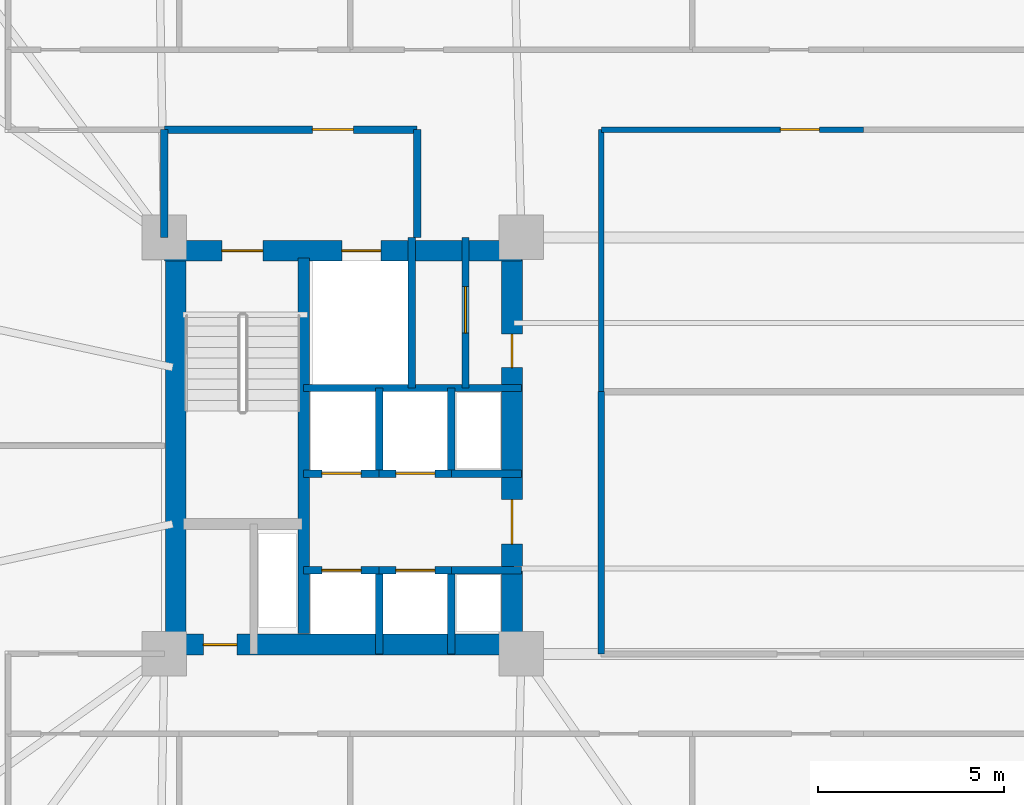
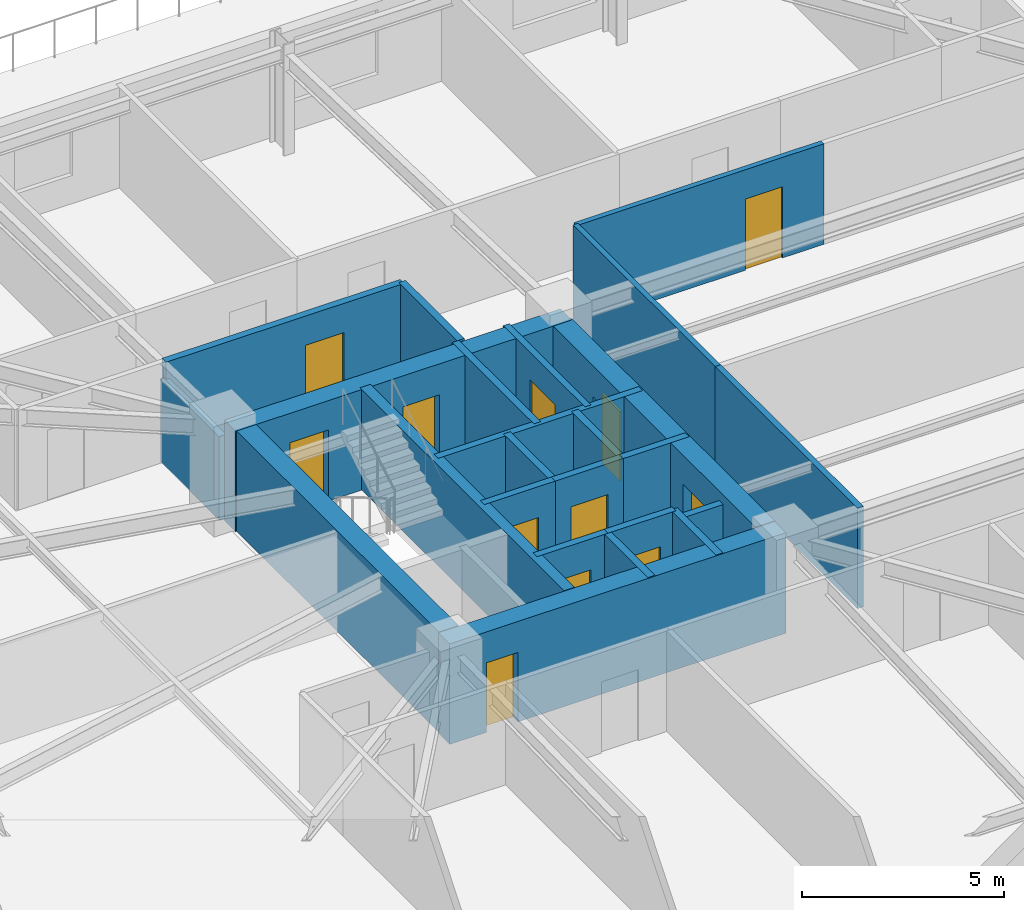
# One storey, part 12 of 21: 24 walls, 12 doors, 12 openings.
"""IFC4 building model written with IfcOpenShell, lengths in metres."""

from ifc_helpers import new_model, si_unit, direction, frame, frame_2d, origin, place, context, subcontext, project, spatial, rectangle, extrude, material, layer, layer_set, type_object, element, fill, save


model = new_model("IFC4")

# Units and contexts
model_context = context("Model", 3, precision=1e-05, world=origin(), true_north=direction((0.0, 1.0)))
body_context = subcontext(model_context, "Body", "Model", "MODEL_VIEW")
ifc_project = project(units=[si_unit("LENGTHUNIT", "METRE"), si_unit("AREAUNIT", "SQUARE_METRE"), si_unit("VOLUMEUNIT", "CUBIC_METRE"), si_unit("PLANEANGLEUNIT", "RADIAN"), si_unit("MASSUNIT", "GRAM", prefix="KILO")], contexts=[model_context])

# Site, building, storey
site_placement = place(None, origin())
site = spatial("IfcSite", under=ifc_project, at=site_placement, CompositionType="ELEMENT")
building_placement = place(site_placement, origin())
building = spatial("IfcBuilding", under=site, at=building_placement, Name="Qobustan Lattice House", CompositionType="ELEMENT")
storey_placement = place(building_placement, frame((0.0, 0.0, 27.0)))
storey = spatial("IfcBuildingStorey", under=building, at=storey_placement, Name="L06", CompositionType="ELEMENT", Elevation=27.0)

# Wall, openings, doors
ifc_material_1 = material(Name="Concrete C60/75", Category="concrete")
ifc_layer_1 = layer(ifc_material_1, 0.56005859375)
ifc_layer_set_1 = layer_set([ifc_layer_1], Name="Concrete C60/75")
wall_type_1 = type_object("IfcWallType", Name="WAL-CORE-600", PredefinedType="SHEAR", material=ifc_layer_set_1)
wall_1_placement = place(storey_placement, frame((-18.800048828125, 5.239990234375, 0.0), z_axis=(0.0, 0.0, 1.0), x_axis=(1.0, 0.0, 0.0)))
wall_1 = element("IfcWall", 1, at=wall_1_placement, inside=storey, type_object=wall_type_1, Name="L06 split-core shear wall CW-N", PredefinedType="SHEAR", context=body_context, shape_type="SweptSolid", body=[
    extrude(rectangle(XDim=9.60009765625, YDim=0.56005859375, at=frame_2d((4.800048828125, 0.0))), origin(), (0.0, 0.0, 1.0), 3.034912109375),
])
opening_1_placement = place(wall_1_placement, frame((1.550048828125, 0.0, 0.0)))
opening_1 = element("IfcOpeningElement", 2, at=opening_1_placement, cuts=wall_1, Name="Opening SD-01", PredefinedType="OPENING", context=body_context, shape_type="SweptSolid", body=[
    extrude(rectangle(XDim=1.10009765625, YDim=2.14990234375, at=frame_2d((0.550048828125, 1.074951171875))), frame((0.0, 0.2900390625, 0.0), z_axis=(0.0, -1.0, 0.0), x_axis=(1.0, 0.0, 0.0)), (0.0, 0.0, 1.0), 0.580078125),
])
opening_2_placement = place(wall_1_placement, frame((4.77490234375, 0.0, 0.0)))
opening_2 = element("IfcOpeningElement", 3, at=opening_2_placement, cuts=wall_1, Name="Opening LD-01", PredefinedType="OPENING", context=body_context, shape_type="SweptSolid", body=[
    extrude(rectangle(XDim=1.050048828125, YDim=2.10009765625, at=frame_2d((0.52490234375, 1.050048828125))), frame((0.0, 0.2900390625, 0.0), z_axis=(0.0, -1.0, 0.0), x_axis=(1.0, 0.0, 0.0)), (0.0, 0.0, 1.0), 0.580078125),
])
ifc_material_2 = material(Name="Persian walnut timber and steel frame door", Category="steel")
door_type_1 = type_object("IfcDoorType", Name="DOR-LIFT-LD-1050x2100", OperationType="NOTDEFINED", PredefinedType="DOOR", material=ifc_material_2)
door_1_placement = place(opening_2_placement, origin())
door_1 = element("IfcDoor", 4, at=door_1_placement, inside=storey, type_object=door_type_1, Name="L06 firefighting lift FF-W landing door", OperationType="DOUBLE_DOOR_SLIDING", OverallHeight=2.10009765625, OverallWidth=1.050048828125, PredefinedType="DOOR", context=body_context, shape_type="SweptSolid", body=[
    extrude(rectangle(XDim=1.050048828125, YDim=2.10009765625, at=frame_2d((0.52490234375, 1.050048828125))), frame((0.0, 0.02490234375, 0.0), z_axis=(0.0, -1.0, 0.0), x_axis=(1.0, 0.0, 0.0)), (0.0, 0.0, 1.0), 0.050048828125),
])
fill(opening_2, door_1)
ifc_material_3 = material(Name="Persian walnut timber and steel frame door", Category="steel")
door_type_2 = type_object("IfcDoorType", Name="DOR-STAIR-FD-1100x2150", OperationType="NOTDEFINED", PredefinedType="DOOR", material=ifc_material_3)
door_2_placement = place(opening_1_placement, origin())
door_2 = element("IfcDoor", 5, at=door_2_placement, inside=storey, type_object=door_type_2, Name="L06 exit stair ST-W1 fire door", OperationType="SINGLE_SWING_RIGHT", OverallHeight=2.14990234375, OverallWidth=1.10009765625, PredefinedType="DOOR", context=body_context, shape_type="SweptSolid", body=[
    extrude(rectangle(XDim=1.10009765625, YDim=2.14990234375, at=frame_2d((0.550048828125, 1.074951171875))), frame((0.0, 0.02490234375, 0.0), z_axis=(0.0, -1.0, 0.0), x_axis=(1.0, 0.0, 0.0)), (0.0, 0.0, 1.0), 0.050048828125),
])
fill(opening_1, door_2)

# Wall, opening, door
wall_2_placement = place(storey_placement, frame((-18.800048828125, -5.35009765625, 0.0), z_axis=(0.0, 0.0, 1.0), x_axis=(1.0, 0.0, 0.0)))
wall_2 = element("IfcWall", 6, at=wall_2_placement, inside=storey, type_object=wall_type_1, Name="L06 split-core shear wall CW-S", PredefinedType="SHEAR", context=body_context, shape_type="SweptSolid", body=[
    extrude(rectangle(XDim=9.60009765625, YDim=0.56005859375, at=frame_2d((4.800048828125, 0.0))), origin(), (0.0, 0.0, 1.0), 3.034912109375),
])
opening_3_placement = place(wall_2_placement, frame((1.050048828125, 0.0, 0.0)))
opening_3 = element("IfcOpeningElement", 7, at=opening_3_placement, cuts=wall_2, Name="Opening RD-01", PredefinedType="OPENING", context=body_context, shape_type="SweptSolid", body=[
    extrude(rectangle(XDim=0.89990234375, YDim=2.10009765625, at=frame_2d((0.449951171875, 1.050048828125))), frame((0.0, 0.2900390625, 0.0), z_axis=(0.0, -1.0, 0.0), x_axis=(1.0, 0.0, 0.0)), (0.0, 0.0, 1.0), 0.580078125),
])
ifc_material_4 = material(Name="Persian walnut timber and steel frame door", Category="steel")
door_type_3 = type_object("IfcDoorType", Name="DOR-RISER-FD-900x2100", OperationType="NOTDEFINED", PredefinedType="DOOR", material=ifc_material_4)
door_3_placement = place(opening_3_placement, origin())
door_3 = element("IfcDoor", 8, at=door_3_placement, inside=storey, type_object=door_type_3, Name="L06 core service riser access door W", OperationType="SINGLE_SWING_RIGHT", OverallHeight=2.10009765625, OverallWidth=0.89990234375, PredefinedType="DOOR", context=body_context, shape_type="SweptSolid", body=[
    extrude(rectangle(XDim=0.89990234375, YDim=2.10009765625, at=frame_2d((0.449951171875, 1.050048828125))), frame((0.0, 0.02490234375, 0.0), z_axis=(0.0, -1.0, 0.0), x_axis=(1.0, 0.0, 0.0)), (0.0, 0.0, 1.0), 0.050048828125),
])
fill(opening_3, door_3)

# Wall
wall_3_placement = place(storey_placement, frame((-18.489990234375, -5.050048828125, 0.0), z_axis=(0.0, 0.0, 1.0), x_axis=(0.0, 1.0, 0.0)))
element("IfcWall", 9, at=wall_3_placement, inside=storey, type_object=wall_type_1, Name="L06 split-core shear wall CW-W", PredefinedType="SHEAR", context=body_context, shape_type="SweptSolid", body=[
    extrude(rectangle(XDim=10.10009765625, YDim=0.56005859375, at=frame_2d((5.050048828125, 0.0))), origin(), (0.0, 0.0, 1.0), 3.034912109375),
])

# Wall, openings, doors
wall_4_placement = place(storey_placement, frame((-9.449951171875, -5.050048828125, 0.0), z_axis=(0.0, 0.0, 1.0), x_axis=(0.0, 1.0, 0.0)))
wall_4 = element("IfcWall", 10, at=wall_4_placement, inside=storey, type_object=wall_type_1, Name="L06 split-core shear wall CW-E", PredefinedType="SHEAR", context=body_context, shape_type="SweptSolid", body=[
    extrude(rectangle(XDim=10.10009765625, YDim=0.56005859375, at=frame_2d((5.050048828125, 0.0))), origin(), (0.0, 0.0, 1.0), 3.034912109375),
])
opening_4_placement = place(wall_4_placement, frame((7.14990234375, 0.0, 0.0)))
opening_4 = element("IfcOpeningElement", 11, at=opening_4_placement, cuts=wall_4, Name="Opening RD-01", PredefinedType="OPENING", context=body_context, shape_type="SweptSolid", body=[
    extrude(rectangle(XDim=0.89990234375, YDim=2.10009765625, at=frame_2d((0.449951171875, 1.050048828125))), frame((0.0, 0.2900390625, 0.0), z_axis=(0.0, -1.0, 0.0), x_axis=(1.0, 0.0, 0.0)), (0.0, 0.0, 1.0), 0.580078125),
])
opening_5_placement = place(wall_4_placement, frame((2.39990234375, 0.0, 0.0)))
opening_5 = element("IfcOpeningElement", 12, at=opening_5_placement, cuts=wall_4, Name="Opening FD-01", PredefinedType="OPENING", context=body_context, shape_type="SweptSolid", body=[
    extrude(rectangle(XDim=1.199951171875, YDim=2.14990234375, at=frame_2d((0.60009765625, 1.074951171875))), frame((0.0, 0.2900390625, 0.0), z_axis=(0.0, -1.0, 0.0), x_axis=(1.0, 0.0, 0.0)), (0.0, 0.0, 1.0), 0.580078125),
])
ifc_material_5 = material(Name="Persian walnut timber and steel frame door", Category="steel")
door_type_4 = type_object("IfcDoorType", Name="DOR-LOBBY-FD-1200x2150", OperationType="NOTDEFINED", PredefinedType="DOOR", material=ifc_material_5)
door_4_placement = place(opening_5_placement, origin())
door_4 = element("IfcDoor", 13, at=door_4_placement, inside=storey, type_object=door_type_4, Name="L06 West passenger lift lobby fire door", OperationType="SINGLE_SWING_LEFT", OverallHeight=2.14990234375, OverallWidth=1.199951171875, PredefinedType="DOOR", context=body_context, shape_type="SweptSolid", body=[
    extrude(rectangle(XDim=1.199951171875, YDim=2.14990234375, at=frame_2d((0.60009765625, 1.074951171875))), frame((0.0, 0.02490234375, 0.0), z_axis=(0.0, -1.0, 0.0), x_axis=(1.0, 0.0, 0.0)), (0.0, 0.0, 1.0), 0.050048828125),
])
fill(opening_5, door_4)
door_5_placement = place(opening_4_placement, origin())
door_5 = element("IfcDoor", 14, at=door_5_placement, inside=storey, type_object=door_type_3, Name="L06 Data comms closet fire door", OperationType="SINGLE_SWING_RIGHT", OverallHeight=2.10009765625, OverallWidth=0.89990234375, PredefinedType="DOOR", context=body_context, shape_type="SweptSolid", body=[
    extrude(rectangle(XDim=0.89990234375, YDim=2.10009765625, at=frame_2d((0.449951171875, 1.050048828125))), frame((0.0, 0.02490234375, 0.0), z_axis=(0.0, -1.0, 0.0), x_axis=(1.0, 0.0, 0.0)), (0.0, 0.0, 1.0), 0.050048828125),
])
fill(opening_4, door_5)

# Wall
ifc_material_6 = material(Name="Concrete C50/60", Category="concrete")
ifc_layer_2 = layer(ifc_material_6, 0.280029296875)
ifc_layer_set_2 = layer_set([ifc_layer_2], Name="Concrete C50/60")
wall_type_2 = type_object("IfcWallType", Name="WAL-CORE-SPINE-280", PredefinedType="SHEAR", material=ifc_layer_set_2)
wall_5_placement = place(storey_placement, frame((-15.050048828125, -5.050048828125, 0.0), z_axis=(0.0, 0.0, 1.0), x_axis=(0.0, 1.0, 0.0)))
element("IfcWall", 15, at=wall_5_placement, inside=storey, type_object=wall_type_2, Name="L06 split-core shear wall CW-M", PredefinedType="SHEAR", context=body_context, shape_type="SweptSolid", body=[
    extrude(rectangle(XDim=10.10009765625, YDim=0.300048828125, at=frame_2d((5.050048828125, 0.0))), origin(), (0.0, 0.0, 1.0), 3.034912109375),
])

# Wall, opening, door
ifc_material_7 = material(Name="Gypsum fireboard acoustic partition", Category="gypsum")
ifc_layer_3 = layer(ifc_material_7, 0.179931640625)
ifc_layer_set_3 = layer_set([ifc_layer_3], Name="Gypsum fireboard acoustic partition")
wall_type_3 = type_object("IfcWallType", Name="WAL-FIRE-180", PredefinedType="PARTITIONING", material=ifc_layer_set_3)
wall_6_placement = place(storey_placement, frame((-10.699951171875, 5.60009765625, 0.0), z_axis=(0.0, 0.0, 1.0), x_axis=(0.0, -1.0, 0.0)))
wall_6 = element("IfcWall", 16, at=wall_6_placement, inside=storey, type_object=wall_type_3, Name="L06 interior partition 6", PredefinedType="PARTITIONING", context=body_context, shape_type="SweptSolid", body=[
    extrude(rectangle(XDim=4.050048828125, YDim=0.179931640625, at=frame_2d((2.02490234375, 0.0))), origin(), (0.0, 0.0, 1.0), 3.034912109375),
])
opening_6_placement = place(wall_6_placement, frame((1.324951171875, 0.0, 0.0)))
opening_6 = element("IfcOpeningElement", 17, at=opening_6_placement, cuts=wall_6, Name="Opening FD-03", PredefinedType="OPENING", context=body_context, shape_type="SweptSolid", body=[
    extrude(rectangle(XDim=1.25, YDim=2.199951171875, at=frame_2d((0.625, 1.10009765625))), frame((0.0, 0.099853515625, 0.0), z_axis=(0.0, -1.0, 0.0), x_axis=(1.0, 0.0, 0.0)), (0.0, 0.0, 1.0), 0.199951171875),
])
ifc_material_8 = material(Name="Persian walnut timber and steel frame door", Category="steel")
door_type_5 = type_object("IfcDoorType", Name="DOR-PLANT-1250x2200", OperationType="NOTDEFINED", PredefinedType="DOOR", material=ifc_material_8)
door_6_placement = place(opening_6_placement, origin())
door_6 = element("IfcDoor", 18, at=door_6_placement, inside=storey, type_object=door_type_5, Name="L06 Data comms closet to Linen store door", OperationType="SINGLE_SWING_LEFT", OverallHeight=2.199951171875, OverallWidth=1.25, PredefinedType="DOOR", context=body_context, shape_type="SweptSolid", body=[
    extrude(rectangle(XDim=1.25, YDim=2.199951171875, at=frame_2d((0.625, 1.10009765625))), frame((0.0, 0.02490234375, 0.0), z_axis=(0.0, -1.0, 0.0), x_axis=(1.0, 0.0, 0.0)), (0.0, 0.0, 1.0), 0.050048828125),
])
fill(opening_6, door_6)

ifc_material_9 = material(Name="Acoustic twin-stud gypsum partition", Category="gypsum")
ifc_layer_4 = layer(ifc_material_9, 0.14990234375)
ifc_layer_set_4 = layer_set([ifc_layer_4], Name="Acoustic twin-stud gypsum partition")
wall_type_4 = type_object("IfcWallType", Name="WAL-PART-150", PredefinedType="PARTITIONING", material=ifc_layer_set_4)
wall_7_placement = place(storey_placement, frame((0.0, 8.5, 0.0), z_axis=(0.0, 0.0, 1.0), x_axis=(-1.0, 0.0, 0.0)))
wall_7 = element("IfcWall", 19, at=wall_7_placement, inside=storey, type_object=wall_type_4, Name="L06 interior partition 44", PredefinedType="PARTITIONING", context=body_context, shape_type="SweptSolid", body=[
    extrude(rectangle(XDim=7.050048828125, YDim=0.14990234375, at=frame_2d((3.52490234375, 0.0))), origin(), (0.0, 0.0, 1.0), 3.034912109375),
])
opening_7_placement = place(wall_7_placement, frame((1.18505859375, 0.0, 0.0)))
opening_7 = element("IfcOpeningElement", 20, at=opening_7_placement, cuts=wall_7, Name="Opening ID-02", PredefinedType="OPENING", context=body_context, shape_type="SweptSolid", body=[
    extrude(rectangle(XDim=1.050048828125, YDim=2.14990234375, at=frame_2d((0.52490234375, 1.074951171875))), frame((0.0, 0.0849609375, 0.0), z_axis=(0.0, -1.0, 0.0), x_axis=(1.0, 0.0, 0.0)), (0.0, 0.0, 1.0), 0.169921875),
])
ifc_material_10 = material(Name="Persian walnut timber and steel frame door", Category="steel")
door_type_6 = type_object("IfcDoorType", Name="DOR-STUDY-1050x2150", OperationType="NOTDEFINED", PredefinedType="DOOR", material=ifc_material_10)
door_7_placement = place(opening_7_placement, origin())
door_7 = element("IfcDoor", 21, at=door_7_placement, inside=storey, type_object=door_type_6, Name="L06 North-west floor corridor to Central collaborative study room door", OperationType="SINGLE_SWING_LEFT", OverallHeight=2.14990234375, OverallWidth=1.050048828125, PredefinedType="DOOR", context=body_context, shape_type="SweptSolid", body=[
    extrude(rectangle(XDim=1.050048828125, YDim=2.14990234375, at=frame_2d((0.52490234375, 1.074951171875))), frame((0.0, 0.02490234375, 0.0), z_axis=(0.0, -1.0, 0.0), x_axis=(1.0, 0.0, 0.0)), (0.0, 0.0, 1.0), 0.050048828125),
])
fill(opening_7, door_7)

# Walls
wall_8_placement = place(storey_placement, frame((-7.050048828125, 8.5, 0.0), z_axis=(0.0, 0.0, 1.0), x_axis=(0.0, -1.0, 0.0)))
element("IfcWall", 22, at=wall_8_placement, inside=storey, type_object=wall_type_4, Name="L06 interior partition 69", PredefinedType="PARTITIONING", context=body_context, shape_type="SweptSolid", body=[
    extrude(rectangle(XDim=7.050048828125, YDim=0.14990234375, at=frame_2d((3.52490234375, 0.0))), origin(), (0.0, 0.0, 1.0), 3.034912109375),
])
ifc_material_11 = material(Name="High-mass acoustic twin-stud partition", Category="gypsum")
ifc_layer_5 = layer(ifc_material_11, 0.1650390625)
ifc_layer_set_5 = layer_set([ifc_layer_5], Name="High-mass acoustic twin-stud partition")
wall_type_5 = type_object("IfcWallType", Name="WAL-PART-165", PredefinedType="PARTITIONING", material=ifc_layer_set_5)
wall_9_placement = place(storey_placement, frame((-7.050048828125, 1.449951171875, 0.0), z_axis=(0.0, 0.0, 1.0), x_axis=(0.0, -1.0, 0.0)))
element("IfcWall", 23, at=wall_9_placement, inside=storey, type_object=wall_type_5, Name="L06 interior partition 68", PredefinedType="PARTITIONING", context=body_context, shape_type="SweptSolid", body=[
    extrude(rectangle(XDim=7.050048828125, YDim=0.1650390625, at=frame_2d((3.52490234375, 0.0))), origin(), (0.0, 0.0, 1.0), 3.034912109375),
])

# Wall, opening, door
ifc_material_12 = material(Name="Two-hour gypsum fireboard acoustic partition", Category="gypsum")
ifc_layer_6 = layer(ifc_material_12, 0.199951171875)
ifc_layer_set_6 = layer_set([ifc_layer_6], Name="Two-hour gypsum fireboard acoustic partition")
wall_type_6 = type_object("IfcWallType", Name="WAL-PROT-200", PredefinedType="PARTITIONING", material=ifc_layer_set_6)
wall_10_placement = place(storey_placement, frame((-12.0, 8.5, 0.0), z_axis=(0.0, 0.0, 1.0), x_axis=(-1.0, 0.0, 0.0)))
wall_10 = element("IfcWall", 24, at=wall_10_placement, inside=storey, type_object=wall_type_6, Name="L06 interior partition 3", PredefinedType="PARTITIONING", context=body_context, shape_type="SweptSolid", body=[
    extrude(rectangle(XDim=6.800048828125, YDim=0.199951171875, at=frame_2d((3.39990234375, 0.0))), origin(), (0.0, 0.0, 1.0), 3.034912109375),
])
opening_8_placement = place(wall_10_placement, frame((1.715087890625, 0.0, 0.0)))
opening_8 = element("IfcOpeningElement", 25, at=opening_8_placement, cuts=wall_10, Name="Opening SD-01", PredefinedType="OPENING", context=body_context, shape_type="SweptSolid", body=[
    extrude(rectangle(XDim=1.10009765625, YDim=2.14990234375, at=frame_2d((0.550048828125, 1.074951171875))), frame((0.0, 0.10986328125, 0.0), z_axis=(0.0, -1.0, 0.0), x_axis=(1.0, 0.0, 0.0)), (0.0, 0.0, 1.0), 0.219970703125),
])
door_8_placement = place(opening_8_placement, origin())
door_8 = element("IfcDoor", 26, at=door_8_placement, inside=storey, type_object=door_type_2, Name="L06 West firefighting lift lobby to North-west floor corridor door", OperationType="SINGLE_SWING_RIGHT", OverallHeight=2.14990234375, OverallWidth=1.10009765625, PredefinedType="DOOR", context=body_context, shape_type="SweptSolid", body=[
    extrude(rectangle(XDim=1.10009765625, YDim=2.14990234375, at=frame_2d((0.550048828125, 1.074951171875))), frame((0.0, 0.02490234375, 0.0), z_axis=(0.0, -1.0, 0.0), x_axis=(1.0, 0.0, 0.0)), (0.0, 0.0, 1.0), 0.050048828125),
])
fill(opening_8, door_8)

# Walls
wall_11_placement = place(storey_placement, frame((-12.0, 5.60009765625, 0.0), z_axis=(0.0, 0.0, 1.0), x_axis=(0.0, 1.0, 0.0)))
element("IfcWall", 27, at=wall_11_placement, inside=storey, type_object=wall_type_6, Name="L06 interior partition 4", PredefinedType="PARTITIONING", context=body_context, shape_type="SweptSolid", body=[
    extrude(rectangle(XDim=2.89990234375, YDim=0.199951171875, at=frame_2d((1.449951171875, 0.0))), origin(), (0.0, 0.0, 1.0), 3.034912109375),
])
wall_12_placement = place(storey_placement, frame((-18.800048828125, 8.5, 0.0), z_axis=(0.0, 0.0, 1.0), x_axis=(0.0, -1.0, 0.0)))
element("IfcWall", 28, at=wall_12_placement, inside=storey, type_object=wall_type_6, Name="L06 interior partition 5", PredefinedType="PARTITIONING", context=body_context, shape_type="SweptSolid", body=[
    extrude(rectangle(XDim=2.89990234375, YDim=0.199951171875, at=frame_2d((1.449951171875, 0.0))), origin(), (0.0, 0.0, 1.0), 2.52001953125),
])
ifc_material_13 = material(Name="Concrete C40/50", Category="concrete")
ifc_layer_7 = layer(ifc_material_13, 0.199951171875)
ifc_layer_set_7 = layer_set([ifc_layer_7], Name="Concrete C40/50")
wall_type_7 = type_object("IfcWallType", Name="WAL-SHAFT-200", PredefinedType="PARTITIONING", material=ifc_layer_set_7)
wall_13_placement = place(storey_placement, frame((-12.14990234375, 1.550048828125, 0.0), z_axis=(0.0, 0.0, 1.0), x_axis=(0.0, 1.0, 0.0)))
element("IfcWall", 29, at=wall_13_placement, inside=storey, type_object=wall_type_7, Name="L06 interior partition 2", PredefinedType="PARTITIONING", context=body_context, shape_type="SweptSolid", body=[
    extrude(rectangle(XDim=4.050048828125, YDim=0.199951171875, at=frame_2d((2.02490234375, 0.0))), origin(), (0.0, 0.0, 1.0), 3.034912109375),
])

# Wall, opening, door
wall_14_placement = place(storey_placement, frame((-15.050048828125, -3.35009765625, 0.0), z_axis=(0.0, 0.0, 1.0), x_axis=(1.0, 0.0, 0.0)))
wall_14 = element("IfcWall", 30, at=wall_14_placement, inside=storey, type_object=wall_type_7, Name="L06 interior partition 8", PredefinedType="PARTITIONING", context=body_context, shape_type="SweptSolid", body=[
    extrude(rectangle(XDim=2.030029296875, YDim=0.199951171875, at=frame_2d((1.01513671875, 0.0))), origin(), (0.0, 0.0, 1.0), 3.034912109375),
])
opening_9_placement = place(wall_14_placement, frame((0.489990234375, 0.0, 0.0)))
opening_9 = element("IfcOpeningElement", 31, at=opening_9_placement, cuts=wall_14, Name="Opening LD-01", PredefinedType="OPENING", context=body_context, shape_type="SweptSolid", body=[
    extrude(rectangle(XDim=1.050048828125, YDim=2.10009765625, at=frame_2d((0.52490234375, 1.050048828125))), frame((0.0, 0.10986328125, 0.0), z_axis=(0.0, -1.0, 0.0), x_axis=(1.0, 0.0, 0.0)), (0.0, 0.0, 1.0), 0.219970703125),
])
door_9_placement = place(opening_9_placement, origin())
door_9 = element("IfcDoor", 32, at=door_9_placement, inside=storey, type_object=door_type_1, Name="L06 lift landing door", OperationType="DOUBLE_DOOR_SLIDING", OverallHeight=2.10009765625, OverallWidth=1.050048828125, PredefinedType="DOOR", context=body_context, shape_type="SweptSolid", body=[
    extrude(rectangle(XDim=1.050048828125, YDim=2.10009765625, at=frame_2d((0.52490234375, 1.050048828125))), frame((0.0, 0.02490234375, 0.0), z_axis=(0.0, -1.0, 0.0), x_axis=(1.0, 0.0, 0.0)), (0.0, 0.0, 1.0), 0.050048828125),
])
fill(opening_9, door_9)

wall_15_placement = place(storey_placement, frame((-13.02001953125, -3.35009765625, 0.0), z_axis=(0.0, 0.0, 1.0), x_axis=(1.0, 0.0, 0.0)))
wall_15 = element("IfcWall", 33, at=wall_15_placement, inside=storey, type_object=wall_type_7, Name="L06 interior partition 9", PredefinedType="PARTITIONING", context=body_context, shape_type="SweptSolid", body=[
    extrude(rectangle(XDim=1.93994140625, YDim=0.199951171875, at=frame_2d((0.969970703125, 0.0))), origin(), (0.0, 0.0, 1.0), 3.034912109375),
])
opening_10_placement = place(wall_15_placement, frame((0.445068359375, 0.0, 0.0)))
opening_10 = element("IfcOpeningElement", 34, at=opening_10_placement, cuts=wall_15, Name="Opening LD-01", PredefinedType="OPENING", context=body_context, shape_type="SweptSolid", body=[
    extrude(rectangle(XDim=1.050048828125, YDim=2.10009765625, at=frame_2d((0.52490234375, 1.050048828125))), frame((0.0, 0.10986328125, 0.0), z_axis=(0.0, -1.0, 0.0), x_axis=(1.0, 0.0, 0.0)), (0.0, 0.0, 1.0), 0.219970703125),
])
door_10_placement = place(opening_10_placement, origin())
door_10 = element("IfcDoor", 35, at=door_10_placement, inside=storey, type_object=door_type_1, Name="L06 lift landing door", OperationType="DOUBLE_DOOR_SLIDING", OverallHeight=2.10009765625, OverallWidth=1.050048828125, PredefinedType="DOOR", context=body_context, shape_type="SweptSolid", body=[
    extrude(rectangle(XDim=1.050048828125, YDim=2.10009765625, at=frame_2d((0.52490234375, 1.050048828125))), frame((0.0, 0.02490234375, 0.0), z_axis=(0.0, -1.0, 0.0), x_axis=(1.0, 0.0, 0.0)), (0.0, 0.0, 1.0), 0.050048828125),
])
fill(opening_10, door_10)

# Wall
wall_16_placement = place(storey_placement, frame((-11.080078125, -3.35009765625, 0.0), z_axis=(0.0, 0.0, 1.0), x_axis=(1.0, 0.0, 0.0)))
element("IfcWall", 36, at=wall_16_placement, inside=storey, type_object=wall_type_7, Name="L06 interior partition 10", PredefinedType="PARTITIONING", context=body_context, shape_type="SweptSolid", body=[
    extrude(rectangle(XDim=1.880126953125, YDim=0.199951171875, at=frame_2d((0.93994140625, 0.0))), origin(), (0.0, 0.0, 1.0), 2.75),
])

# Wall, opening, door
wall_17_placement = place(storey_placement, frame((-13.02001953125, -0.75, 0.0), z_axis=(0.0, 0.0, 1.0), x_axis=(-1.0, 0.0, 0.0)))
wall_17 = element("IfcWall", 37, at=wall_17_placement, inside=storey, type_object=wall_type_7, Name="L06 interior partition 11", PredefinedType="PARTITIONING", context=body_context, shape_type="SweptSolid", body=[
    extrude(rectangle(XDim=2.030029296875, YDim=0.199951171875, at=frame_2d((1.01513671875, 0.0))), origin(), (0.0, 0.0, 1.0), 3.034912109375),
])
opening_11_placement = place(wall_17_placement, frame((0.489990234375, 0.0, 0.0)))
opening_11 = element("IfcOpeningElement", 38, at=opening_11_placement, cuts=wall_17, Name="Opening LD-01", PredefinedType="OPENING", context=body_context, shape_type="SweptSolid", body=[
    extrude(rectangle(XDim=1.050048828125, YDim=2.10009765625, at=frame_2d((0.52490234375, 1.050048828125))), frame((0.0, 0.10986328125, 0.0), z_axis=(0.0, -1.0, 0.0), x_axis=(1.0, 0.0, 0.0)), (0.0, 0.0, 1.0), 0.219970703125),
])
door_11_placement = place(opening_11_placement, origin())
door_11 = element("IfcDoor", 39, at=door_11_placement, inside=storey, type_object=door_type_1, Name="L06 lift landing door", OperationType="DOUBLE_DOOR_SLIDING", OverallHeight=2.10009765625, OverallWidth=1.050048828125, PredefinedType="DOOR", context=body_context, shape_type="SweptSolid", body=[
    extrude(rectangle(XDim=1.050048828125, YDim=2.10009765625, at=frame_2d((0.52490234375, 1.050048828125))), frame((0.0, 0.02490234375, 0.0), z_axis=(0.0, -1.0, 0.0), x_axis=(1.0, 0.0, 0.0)), (0.0, 0.0, 1.0), 0.050048828125),
])
fill(opening_11, door_11)

wall_18_placement = place(storey_placement, frame((-11.080078125, -0.75, 0.0), z_axis=(0.0, 0.0, 1.0), x_axis=(-1.0, 0.0, 0.0)))
wall_18 = element("IfcWall", 40, at=wall_18_placement, inside=storey, type_object=wall_type_7, Name="L06 interior partition 12", PredefinedType="PARTITIONING", context=body_context, shape_type="SweptSolid", body=[
    extrude(rectangle(XDim=1.93994140625, YDim=0.199951171875, at=frame_2d((0.969970703125, 0.0))), origin(), (0.0, 0.0, 1.0), 3.034912109375),
])
opening_12_placement = place(wall_18_placement, frame((0.445068359375, 0.0, 0.0)))
opening_12 = element("IfcOpeningElement", 41, at=opening_12_placement, cuts=wall_18, Name="Opening LD-01", PredefinedType="OPENING", context=body_context, shape_type="SweptSolid", body=[
    extrude(rectangle(XDim=1.050048828125, YDim=2.10009765625, at=frame_2d((0.52490234375, 1.050048828125))), frame((0.0, 0.10986328125, 0.0), z_axis=(0.0, -1.0, 0.0), x_axis=(1.0, 0.0, 0.0)), (0.0, 0.0, 1.0), 0.219970703125),
])
door_12_placement = place(opening_12_placement, origin())
door_12 = element("IfcDoor", 42, at=door_12_placement, inside=storey, type_object=door_type_1, Name="L06 lift landing door", OperationType="DOUBLE_DOOR_SLIDING", OverallHeight=2.10009765625, OverallWidth=1.050048828125, PredefinedType="DOOR", context=body_context, shape_type="SweptSolid", body=[
    extrude(rectangle(XDim=1.050048828125, YDim=2.10009765625, at=frame_2d((0.52490234375, 1.050048828125))), frame((0.0, 0.02490234375, 0.0), z_axis=(0.0, -1.0, 0.0), x_axis=(1.0, 0.0, 0.0)), (0.0, 0.0, 1.0), 0.050048828125),
])
fill(opening_12, door_12)

# Walls
wall_19_placement = place(storey_placement, frame((-9.199951171875, -0.75, 0.0), z_axis=(0.0, 0.0, 1.0), x_axis=(-1.0, 0.0, 0.0)))
element("IfcWall", 43, at=wall_19_placement, inside=storey, type_object=wall_type_7, Name="L06 interior partition 13", PredefinedType="PARTITIONING", context=body_context, shape_type="SweptSolid", body=[
    extrude(rectangle(XDim=1.880126953125, YDim=0.199951171875, at=frame_2d((0.93994140625, 0.0))), origin(), (0.0, 0.0, 1.0), 3.034912109375),
])
for number, where, z_axis, x_axis, name in (
    (44, (-13.02001953125, -5.60009765625, 0.0), (0.0, 0.0, 1.0), (0.0, 1.0, 0.0), "L06 interior partition 15"),
    (45, (-11.080078125, -5.60009765625, 0.0), (0.0, 0.0, 1.0), (0.0, 1.0, 0.0), "L06 interior partition 16"),
):
    element("IfcWall", number, at=place(storey_placement, frame(where, z_axis=z_axis, x_axis=x_axis)), inside=storey, type_object=wall_type_7, Name=name, PredefinedType="PARTITIONING", context=body_context, shape_type="SweptSolid", body=[
        extrude(rectangle(XDim=2.25, YDim=0.199951171875, at=frame_2d((1.125, 0.0))), origin(), (0.0, 0.0, 1.0), 3.034912109375),
    ])
for number, where, z_axis, x_axis, name in (
    (46, (-13.02001953125, -0.75, 0.0), (0.0, 0.0, 1.0), (0.0, 1.0, 0.0), "L06 interior partition 17"),
    (47, (-11.080078125, -0.75, 0.0), (0.0, 0.0, 1.0), (0.0, 1.0, 0.0), "L06 interior partition 18"),
):
    element("IfcWall", number, at=place(storey_placement, frame(where, z_axis=z_axis, x_axis=x_axis)), inside=storey, type_object=wall_type_7, Name=name, PredefinedType="PARTITIONING", context=body_context, shape_type="SweptSolid", body=[
        extrude(rectangle(XDim=2.300048828125, YDim=0.199951171875, at=frame_2d((1.14990234375, 0.0))), origin(), (0.0, 0.0, 1.0), 3.034912109375),
    ])
wall_20_placement = place(storey_placement, frame((-15.050048828125, 1.550048828125, 0.0), z_axis=(0.0, 0.0, 1.0), x_axis=(1.0, 0.0, 0.0)))
element("IfcWall", 48, at=wall_20_placement, inside=storey, type_object=wall_type_7, Name="L06 interior partition 108", PredefinedType="PARTITIONING", context=body_context, shape_type="SweptSolid", body=[
    extrude(rectangle(XDim=5.85009765625, YDim=0.199951171875, at=frame_2d((2.925048828125, 0.0))), origin(), (0.0, 0.0, 1.0), 3.034912109375),
])

save(model, "model.ifc")
